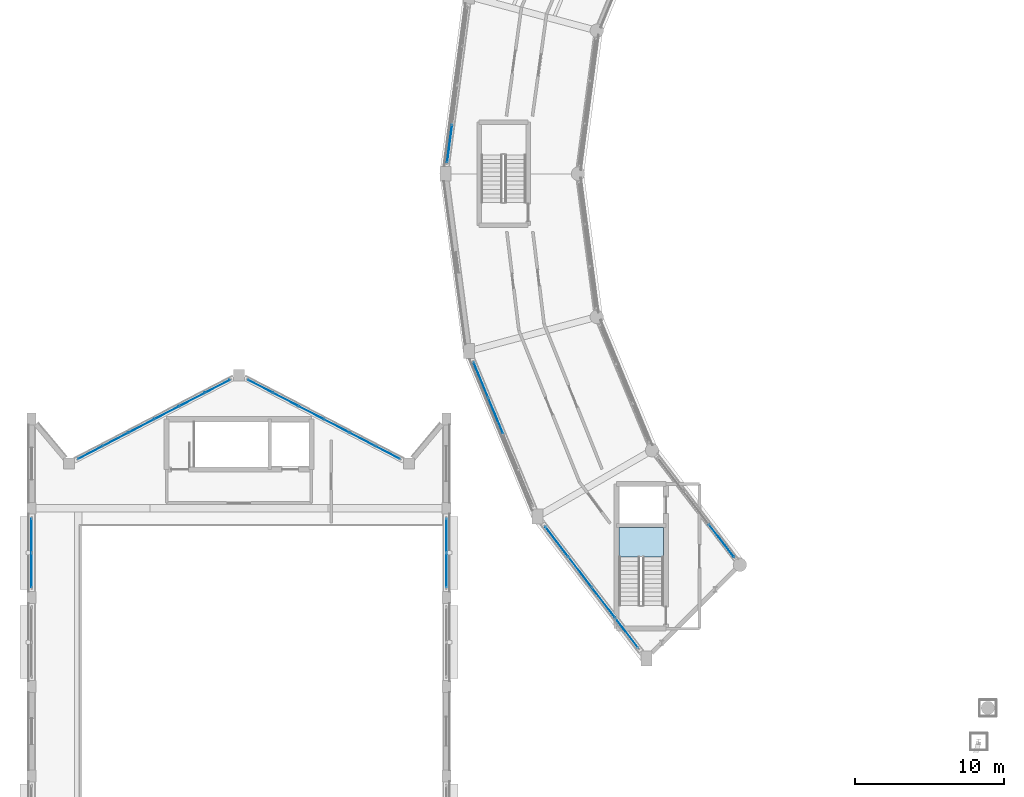
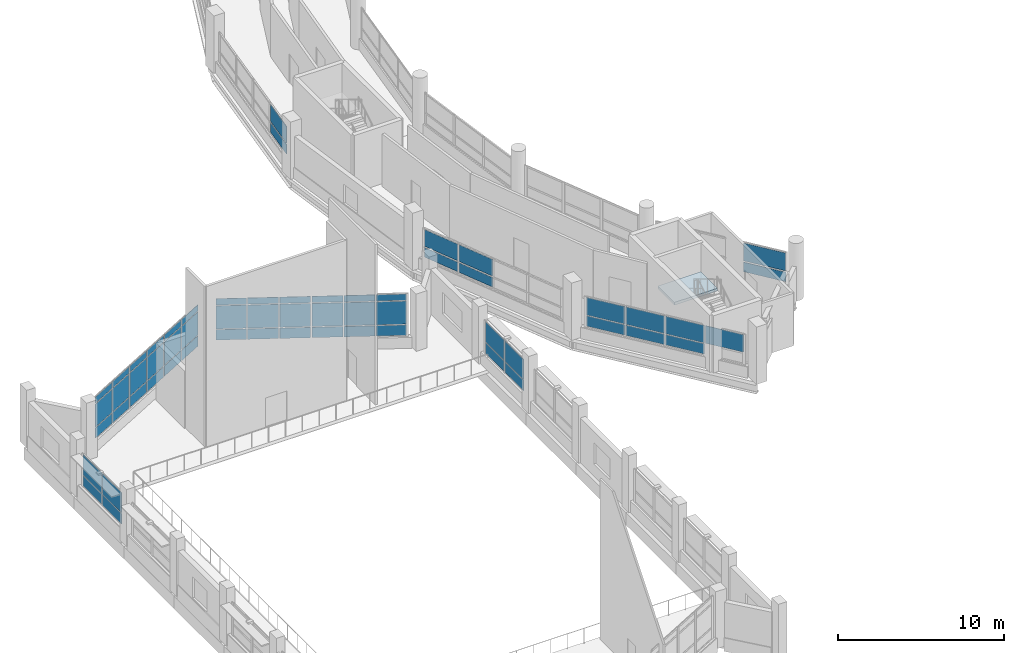
# One storey, part 101 of 128: 59 plates, 1 slab, 9 elements without a shape of their own.
"""IFC4 building model written with IfcOpenShell, lengths in metres."""

from ifc_helpers import new_model, si_unit, direction, frame, origin, origin_2d, place, context, subcontext, project, spatial, polyline, rectangle, outline, extrude, material, layer, layer_set, type_object, element, aggregate, save


model = new_model("IFC4")

# Units and contexts
model_context = context("Model", 3, precision=1e-05, world=origin(), true_north=direction((0.0, 1.0)))
body_context = subcontext(model_context, "Body", "Model", "MODEL_VIEW")
ifc_project = project(units=[si_unit("LENGTHUNIT", "METRE"), si_unit("AREAUNIT", "SQUARE_METRE"), si_unit("VOLUMEUNIT", "CUBIC_METRE"), si_unit("PLANEANGLEUNIT", "RADIAN"), si_unit("MASSUNIT", "GRAM", prefix="KILO")], contexts=[model_context])

# Site, building, storey
site_placement = place(None, origin())
site = spatial("IfcSite", under=ifc_project, at=site_placement, CompositionType="ELEMENT")
building_placement = place(site_placement, origin())
building = spatial("IfcBuilding", under=site, at=building_placement, Name="Vespera Passage Community Centre", CompositionType="ELEMENT")
storey_placement = place(building_placement, frame((0.0, 0.0, 4.5)))
storey = spatial("IfcBuildingStorey", under=building, at=storey_placement, Name="L01", CompositionType="ELEMENT", Elevation=4.5)

# Curtain wall, plates
ifc_material_1 = material(Name="Anodized aluminium 6063-T6", Category="aluminium")
ifc_layer_1 = layer(ifc_material_1, 0.159912109375)
ifc_layer_set_1 = layer_set([ifc_layer_1], Name="Anodized aluminium 6063-T6")
curtain_wall_type_1 = type_object("IfcCurtainWallType", Name="CW-20E", PredefinedType="NOTDEFINED", material=ifc_layer_set_1)
curtain_wall_1_placement = place(storey_placement, origin())
curtain_wall_1 = element("IfcCurtainWall", 1, at=curtain_wall_1_placement, inside=storey, type_object=curtain_wall_type_1, Name="V4 L01 Outer Ribbon Curtain Wall 13", PredefinedType="NOTDEFINED")
ifc_material_2 = material(Name="Low-E insulated vision glass", Category="glass")
ifc_layer_2 = layer(ifc_material_2, 0.028076171875)
ifc_layer_set_2 = layer_set([ifc_layer_2], Name="Low-E insulated vision glass")
plate_type_1 = type_object("IfcPlateType", Name="PL-CWP-28E", PredefinedType="CURTAIN_PANEL", material=ifc_layer_set_2)
plate_1_placement = place(storey_placement, frame((35.270263671875, 49.224365234375, 0.919921875), z_axis=(0.0, 0.0, 1.0), x_axis=(-0.382679142535, 0.923881309405, 0.0)))
plate_1 = element("IfcPlate", 2, at=plate_1_placement, type_object=plate_type_1, Name="CW-20E panel 3.1", PredefinedType="CURTAIN_PANEL", context=body_context, shape_type="SweptSolid", body=[
    extrude(rectangle(XDim=2.555419921875, YDim=0.028076171875, at=origin_2d()), origin(), (0.0, 0.0, 1.0), 0.699951171875),
])
plate_2_placement = place(storey_placement, frame((35.270263671875, 49.224365234375, 1.719970703125), z_axis=(0.0, 0.0, 1.0), x_axis=(-0.382679142535, 0.923881309405, 0.0)))
plate_2 = element("IfcPlate", 3, at=plate_2_placement, type_object=plate_type_1, Name="CW-20E panel 3.2", PredefinedType="CURTAIN_PANEL", context=body_context, shape_type="SweptSolid", body=[
    extrude(rectangle(XDim=2.555419921875, YDim=0.028076171875, at=origin_2d()), origin(), (0.0, 0.0, 1.0), 1.2255859375),
])
plate_3_placement = place(storey_placement, frame((34.270751953125, 51.63720703125, 0.919921875), z_axis=(0.0, 0.0, 1.0), x_axis=(-0.382679142535, 0.923881309405, 0.0)))
plate_3 = element("IfcPlate", 4, at=plate_3_placement, type_object=plate_type_1, Name="CW-20E panel 4.1", PredefinedType="CURTAIN_PANEL", context=body_context, shape_type="SweptSolid", body=[
    extrude(rectangle(XDim=2.51806640625, YDim=0.028076171875, at=origin_2d()), origin(), (0.0, 0.0, 1.0), 0.699951171875),
])
plate_4_placement = place(storey_placement, frame((34.270751953125, 51.63720703125, 1.719970703125), z_axis=(0.0, 0.0, 1.0), x_axis=(-0.382679142535, 0.923881309405, 0.0)))
plate_4 = element("IfcPlate", 5, at=plate_4_placement, type_object=plate_type_1, Name="CW-20E panel 4.2", PredefinedType="CURTAIN_PANEL", context=body_context, shape_type="SweptSolid", body=[
    extrude(rectangle(XDim=2.51806640625, YDim=0.028076171875, at=origin_2d()), origin(), (0.0, 0.0, 1.0), 1.2255859375),
])
aggregate(curtain_wall_1, [plate_1, plate_2, plate_3, plate_4])

ifc_material_3 = material(Name="Anodized aluminium 6063-T6", Category="aluminium")
ifc_layer_3 = layer(ifc_material_3, 0.159912109375)
ifc_layer_set_3 = layer_set([ifc_layer_3], Name="Anodized aluminium 6063-T6")
curtain_wall_type_2 = type_object("IfcCurtainWallType", Name="CW-85E", PredefinedType="NOTDEFINED", material=ifc_layer_set_3)
curtain_wall_2_placement = place(storey_placement, origin())
curtain_wall_2 = element("IfcCurtainWall", 6, at=curtain_wall_2_placement, inside=storey, type_object=curtain_wall_type_2, Name="V1 L01 N Apse Ribbon Curtain Wall 2", PredefinedType="NOTDEFINED")
plate_5_placement = place(storey_placement, frame((8.01318359375, 46.751220703125, 0.85986328125), z_axis=(0.0, 0.0, 1.0), x_axis=(0.887012747062, 0.46174493668, 0.0)))
plate_5 = element("IfcPlate", 7, at=plate_5_placement, type_object=plate_type_1, Name="CW-85E panel 1.1", PredefinedType="CURTAIN_PANEL", context=body_context, shape_type="SweptSolid", body=[
    extrude(rectangle(XDim=1.822021484375, YDim=0.028076171875, at=origin_2d()), origin(), (0.0, 0.0, 1.0), 0.760009765625),
])
plate_6_placement = place(storey_placement, frame((8.01318359375, 46.751220703125, 1.679931640625), z_axis=(0.0, 0.0, 1.0), x_axis=(0.887012747062, 0.46174493668, 0.0)))
plate_6 = element("IfcPlate", 8, at=plate_6_placement, type_object=plate_type_1, Name="CW-85E panel 1.2", PredefinedType="CURTAIN_PANEL", context=body_context, shape_type="SweptSolid", body=[
    extrude(rectangle(XDim=1.822021484375, YDim=0.028076171875, at=origin_2d()), origin(), (0.0, 0.0, 1.0), 1.68994140625),
])
plate_7_placement = place(storey_placement, frame((8.01318359375, 46.751220703125, 3.429931640625), z_axis=(0.0, 0.0, 1.0), x_axis=(0.887012747062, 0.46174493668, 0.0)))
plate_7 = element("IfcPlate", 9, at=plate_7_placement, type_object=plate_type_1, Name="CW-85E panel 1.3", PredefinedType="CURTAIN_PANEL", context=body_context, shape_type="SweptSolid", body=[
    extrude(rectangle(XDim=1.822021484375, YDim=0.028076171875, at=origin_2d()), origin(), (0.0, 0.0, 1.0), 0.4599609375),
])
plate_8_placement = place(storey_placement, frame((9.71240234375, 47.6357421875, 0.85986328125), z_axis=(0.0, 0.0, 1.0), x_axis=(0.887012747062, 0.46174493668, 0.0)))
plate_8 = element("IfcPlate", 10, at=plate_8_placement, type_object=plate_type_1, Name="CW-85E panel 2.1", PredefinedType="CURTAIN_PANEL", context=body_context, shape_type="SweptSolid", body=[
    extrude(rectangle(XDim=1.859619140625, YDim=0.028076171875, at=origin_2d()), origin(), (0.0, 0.0, 1.0), 0.760009765625),
])
plate_9_placement = place(storey_placement, frame((9.71240234375, 47.6357421875, 1.679931640625), z_axis=(0.0, 0.0, 1.0), x_axis=(0.887012747062, 0.46174493668, 0.0)))
plate_9 = element("IfcPlate", 11, at=plate_9_placement, type_object=plate_type_1, Name="CW-85E panel 2.2", PredefinedType="CURTAIN_PANEL", context=body_context, shape_type="SweptSolid", body=[
    extrude(rectangle(XDim=1.859619140625, YDim=0.028076171875, at=origin_2d()), origin(), (0.0, 0.0, 1.0), 1.68994140625),
])
plate_10_placement = place(storey_placement, frame((9.71240234375, 47.6357421875, 3.429931640625), z_axis=(0.0, 0.0, 1.0), x_axis=(0.887012747062, 0.46174493668, 0.0)))
plate_10 = element("IfcPlate", 12, at=plate_10_placement, type_object=plate_type_1, Name="CW-85E panel 2.3", PredefinedType="CURTAIN_PANEL", context=body_context, shape_type="SweptSolid", body=[
    extrude(rectangle(XDim=1.859619140625, YDim=0.028076171875, at=origin_2d()), origin(), (0.0, 0.0, 1.0), 0.4599609375),
])
plate_11_placement = place(storey_placement, frame((11.428466796875, 48.529052734375, 0.85986328125), z_axis=(0.0, 0.0, 1.0), x_axis=(0.887012747062, 0.46174493668, 0.0)))
plate_11 = element("IfcPlate", 13, at=plate_11_placement, type_object=plate_type_1, Name="CW-85E panel 3.1", PredefinedType="CURTAIN_PANEL", context=body_context, shape_type="SweptSolid", body=[
    extrude(rectangle(XDim=1.859619140625, YDim=0.028076171875, at=origin_2d()), origin(), (0.0, 0.0, 1.0), 0.760009765625),
])
plate_12_placement = place(storey_placement, frame((11.428466796875, 48.529052734375, 1.679931640625), z_axis=(0.0, 0.0, 1.0), x_axis=(0.887012747062, 0.46174493668, 0.0)))
plate_12 = element("IfcPlate", 14, at=plate_12_placement, type_object=plate_type_1, Name="CW-85E panel 3.2", PredefinedType="CURTAIN_PANEL", context=body_context, shape_type="SweptSolid", body=[
    extrude(rectangle(XDim=1.859619140625, YDim=0.028076171875, at=origin_2d()), origin(), (0.0, 0.0, 1.0), 1.68994140625),
])
plate_13_placement = place(storey_placement, frame((11.428466796875, 48.529052734375, 3.429931640625), z_axis=(0.0, 0.0, 1.0), x_axis=(0.887012747062, 0.46174493668, 0.0)))
plate_13 = element("IfcPlate", 15, at=plate_13_placement, type_object=plate_type_1, Name="CW-85E panel 3.3", PredefinedType="CURTAIN_PANEL", context=body_context, shape_type="SweptSolid", body=[
    extrude(rectangle(XDim=1.859619140625, YDim=0.028076171875, at=origin_2d()), origin(), (0.0, 0.0, 1.0), 0.4599609375),
])
plate_14_placement = place(storey_placement, frame((13.144287109375, 49.42236328125, 0.85986328125), z_axis=(0.0, 0.0, 1.0), x_axis=(0.887012747062, 0.46174493668, 0.0)))
plate_14 = element("IfcPlate", 16, at=plate_14_placement, type_object=plate_type_1, Name="CW-85E panel 4.1", PredefinedType="CURTAIN_PANEL", context=body_context, shape_type="SweptSolid", body=[
    extrude(rectangle(XDim=1.859619140625, YDim=0.028076171875, at=origin_2d()), origin(), (0.0, 0.0, 1.0), 0.760009765625),
])
plate_15_placement = place(storey_placement, frame((13.144287109375, 49.42236328125, 1.679931640625), z_axis=(0.0, 0.0, 1.0), x_axis=(0.887012747062, 0.46174493668, 0.0)))
plate_15 = element("IfcPlate", 17, at=plate_15_placement, type_object=plate_type_1, Name="CW-85E panel 4.2", PredefinedType="CURTAIN_PANEL", context=body_context, shape_type="SweptSolid", body=[
    extrude(rectangle(XDim=1.859619140625, YDim=0.028076171875, at=origin_2d()), origin(), (0.0, 0.0, 1.0), 1.68994140625),
])
plate_16_placement = place(storey_placement, frame((13.144287109375, 49.42236328125, 3.429931640625), z_axis=(0.0, 0.0, 1.0), x_axis=(0.887012747062, 0.46174493668, 0.0)))
plate_16 = element("IfcPlate", 18, at=plate_16_placement, type_object=plate_type_1, Name="CW-85E panel 4.3", PredefinedType="CURTAIN_PANEL", context=body_context, shape_type="SweptSolid", body=[
    extrude(rectangle(XDim=1.859619140625, YDim=0.028076171875, at=origin_2d()), origin(), (0.0, 0.0, 1.0), 0.4599609375),
])
plate_17_placement = place(storey_placement, frame((14.8603515625, 50.315673828125, 0.85986328125), z_axis=(0.0, 0.0, 1.0), x_axis=(0.887012747062, 0.46174493668, 0.0)))
plate_17 = element("IfcPlate", 19, at=plate_17_placement, type_object=plate_type_1, Name="CW-85E panel 5.1", PredefinedType="CURTAIN_PANEL", context=body_context, shape_type="SweptSolid", body=[
    extrude(rectangle(XDim=1.859619140625, YDim=0.028076171875, at=origin_2d()), origin(), (0.0, 0.0, 1.0), 0.760009765625),
])
plate_18_placement = place(storey_placement, frame((14.8603515625, 50.315673828125, 1.679931640625), z_axis=(0.0, 0.0, 1.0), x_axis=(0.887012747062, 0.46174493668, 0.0)))
plate_18 = element("IfcPlate", 20, at=plate_18_placement, type_object=plate_type_1, Name="CW-85E panel 5.2", PredefinedType="CURTAIN_PANEL", context=body_context, shape_type="SweptSolid", body=[
    extrude(rectangle(XDim=1.859619140625, YDim=0.028076171875, at=origin_2d()), origin(), (0.0, 0.0, 1.0), 1.68994140625),
])
plate_19_placement = place(storey_placement, frame((14.8603515625, 50.315673828125, 3.429931640625), z_axis=(0.0, 0.0, 1.0), x_axis=(0.887012747062, 0.46174493668, 0.0)))
plate_19 = element("IfcPlate", 21, at=plate_19_placement, type_object=plate_type_1, Name="CW-85E panel 5.3", PredefinedType="CURTAIN_PANEL", context=body_context, shape_type="SweptSolid", body=[
    extrude(rectangle(XDim=1.859619140625, YDim=0.028076171875, at=origin_2d()), origin(), (0.0, 0.0, 1.0), 0.4599609375),
])
plate_20_placement = place(storey_placement, frame((16.5595703125, 51.2001953125, 0.85986328125), z_axis=(0.0, 0.0, 1.0), x_axis=(0.887012747062, 0.46174493668, 0.0)))
plate_20 = element("IfcPlate", 22, at=plate_20_placement, type_object=plate_type_1, Name="CW-85E panel 6.1", PredefinedType="CURTAIN_PANEL", context=body_context, shape_type="SweptSolid", body=[
    extrude(rectangle(XDim=1.822021484375, YDim=0.028076171875, at=origin_2d()), origin(), (0.0, 0.0, 1.0), 0.760009765625),
])
plate_21_placement = place(storey_placement, frame((16.5595703125, 51.2001953125, 1.679931640625), z_axis=(0.0, 0.0, 1.0), x_axis=(0.887012747062, 0.46174493668, 0.0)))
plate_21 = element("IfcPlate", 23, at=plate_21_placement, type_object=plate_type_1, Name="CW-85E panel 6.2", PredefinedType="CURTAIN_PANEL", context=body_context, shape_type="SweptSolid", body=[
    extrude(rectangle(XDim=1.822021484375, YDim=0.028076171875, at=origin_2d()), origin(), (0.0, 0.0, 1.0), 1.68994140625),
])
plate_22_placement = place(storey_placement, frame((16.5595703125, 51.2001953125, 3.429931640625), z_axis=(0.0, 0.0, 1.0), x_axis=(0.887012747062, 0.46174493668, 0.0)))
plate_22 = element("IfcPlate", 24, at=plate_22_placement, type_object=plate_type_1, Name="CW-85E panel 6.3", PredefinedType="CURTAIN_PANEL", context=body_context, shape_type="SweptSolid", body=[
    extrude(rectangle(XDim=1.822021484375, YDim=0.028076171875, at=origin_2d()), origin(), (0.0, 0.0, 1.0), 0.4599609375),
])
aggregate(curtain_wall_2, [plate_5, plate_6, plate_7, plate_8, plate_9, plate_10, plate_11, plate_12, plate_13, plate_14, plate_15, plate_16, plate_17, plate_18, plate_19, plate_20, plate_21, plate_22])

curtain_wall_3_placement = place(storey_placement, origin())
curtain_wall_3 = element("IfcCurtainWall", 25, at=curtain_wall_3_placement, inside=storey, type_object=curtain_wall_type_2, Name="V1 L01 N Apse Ribbon Curtain Wall 3", PredefinedType="NOTDEFINED")
plate_23_placement = place(storey_placement, frame((19.4404296875, 51.2001953125, 0.85986328125), z_axis=(0.0, 0.0, 1.0), x_axis=(0.887012747062, -0.46174493668, 0.0)))
plate_23 = element("IfcPlate", 26, at=plate_23_placement, type_object=plate_type_1, Name="CW-85E panel 1.1", PredefinedType="CURTAIN_PANEL", context=body_context, shape_type="SweptSolid", body=[
    extrude(rectangle(XDim=1.822021484375, YDim=0.028076171875, at=origin_2d()), origin(), (0.0, 0.0, 1.0), 0.760009765625),
])
plate_24_placement = place(storey_placement, frame((19.4404296875, 51.2001953125, 1.679931640625), z_axis=(0.0, 0.0, 1.0), x_axis=(0.887012747062, -0.46174493668, 0.0)))
plate_24 = element("IfcPlate", 27, at=plate_24_placement, type_object=plate_type_1, Name="CW-85E panel 1.2", PredefinedType="CURTAIN_PANEL", context=body_context, shape_type="SweptSolid", body=[
    extrude(rectangle(XDim=1.822021484375, YDim=0.028076171875, at=origin_2d()), origin(), (0.0, 0.0, 1.0), 1.68994140625),
])
plate_25_placement = place(storey_placement, frame((19.4404296875, 51.2001953125, 3.429931640625), z_axis=(0.0, 0.0, 1.0), x_axis=(0.887012747062, -0.46174493668, 0.0)))
plate_25 = element("IfcPlate", 28, at=plate_25_placement, type_object=plate_type_1, Name="CW-85E panel 1.3", PredefinedType="CURTAIN_PANEL", context=body_context, shape_type="SweptSolid", body=[
    extrude(rectangle(XDim=1.822021484375, YDim=0.028076171875, at=origin_2d()), origin(), (0.0, 0.0, 1.0), 0.4599609375),
])
plate_26_placement = place(storey_placement, frame((21.1396484375, 50.315673828125, 0.85986328125), z_axis=(0.0, 0.0, 1.0), x_axis=(0.887012747062, -0.46174493668, 0.0)))
plate_26 = element("IfcPlate", 29, at=plate_26_placement, type_object=plate_type_1, Name="CW-85E panel 2.1", PredefinedType="CURTAIN_PANEL", context=body_context, shape_type="SweptSolid", body=[
    extrude(rectangle(XDim=1.859619140625, YDim=0.028076171875, at=origin_2d()), origin(), (0.0, 0.0, 1.0), 0.760009765625),
])
plate_27_placement = place(storey_placement, frame((21.1396484375, 50.315673828125, 1.679931640625), z_axis=(0.0, 0.0, 1.0), x_axis=(0.887012747062, -0.46174493668, 0.0)))
plate_27 = element("IfcPlate", 30, at=plate_27_placement, type_object=plate_type_1, Name="CW-85E panel 2.2", PredefinedType="CURTAIN_PANEL", context=body_context, shape_type="SweptSolid", body=[
    extrude(rectangle(XDim=1.859619140625, YDim=0.028076171875, at=origin_2d()), origin(), (0.0, 0.0, 1.0), 1.68994140625),
])
plate_28_placement = place(storey_placement, frame((21.1396484375, 50.315673828125, 3.429931640625), z_axis=(0.0, 0.0, 1.0), x_axis=(0.887012747062, -0.46174493668, 0.0)))
plate_28 = element("IfcPlate", 31, at=plate_28_placement, type_object=plate_type_1, Name="CW-85E panel 2.3", PredefinedType="CURTAIN_PANEL", context=body_context, shape_type="SweptSolid", body=[
    extrude(rectangle(XDim=1.859619140625, YDim=0.028076171875, at=origin_2d()), origin(), (0.0, 0.0, 1.0), 0.4599609375),
])
plate_29_placement = place(storey_placement, frame((22.855712890625, 49.42236328125, 0.85986328125), z_axis=(0.0, 0.0, 1.0), x_axis=(0.887012747062, -0.46174493668, 0.0)))
plate_29 = element("IfcPlate", 32, at=plate_29_placement, type_object=plate_type_1, Name="CW-85E panel 3.1", PredefinedType="CURTAIN_PANEL", context=body_context, shape_type="SweptSolid", body=[
    extrude(rectangle(XDim=1.859619140625, YDim=0.028076171875, at=origin_2d()), origin(), (0.0, 0.0, 1.0), 0.760009765625),
])
plate_30_placement = place(storey_placement, frame((22.855712890625, 49.42236328125, 1.679931640625), z_axis=(0.0, 0.0, 1.0), x_axis=(0.887012747062, -0.46174493668, 0.0)))
plate_30 = element("IfcPlate", 33, at=plate_30_placement, type_object=plate_type_1, Name="CW-85E panel 3.2", PredefinedType="CURTAIN_PANEL", context=body_context, shape_type="SweptSolid", body=[
    extrude(rectangle(XDim=1.859619140625, YDim=0.028076171875, at=origin_2d()), origin(), (0.0, 0.0, 1.0), 1.68994140625),
])
plate_31_placement = place(storey_placement, frame((22.855712890625, 49.42236328125, 3.429931640625), z_axis=(0.0, 0.0, 1.0), x_axis=(0.887012747062, -0.46174493668, 0.0)))
plate_31 = element("IfcPlate", 34, at=plate_31_placement, type_object=plate_type_1, Name="CW-85E panel 3.3", PredefinedType="CURTAIN_PANEL", context=body_context, shape_type="SweptSolid", body=[
    extrude(rectangle(XDim=1.859619140625, YDim=0.028076171875, at=origin_2d()), origin(), (0.0, 0.0, 1.0), 0.4599609375),
])
plate_32_placement = place(storey_placement, frame((24.571533203125, 48.529052734375, 0.85986328125), z_axis=(0.0, 0.0, 1.0), x_axis=(0.887012747062, -0.46174493668, 0.0)))
plate_32 = element("IfcPlate", 35, at=plate_32_placement, type_object=plate_type_1, Name="CW-85E panel 4.1", PredefinedType="CURTAIN_PANEL", context=body_context, shape_type="SweptSolid", body=[
    extrude(rectangle(XDim=1.859619140625, YDim=0.028076171875, at=origin_2d()), origin(), (0.0, 0.0, 1.0), 0.760009765625),
])
plate_33_placement = place(storey_placement, frame((24.571533203125, 48.529052734375, 1.679931640625), z_axis=(0.0, 0.0, 1.0), x_axis=(0.887012747062, -0.46174493668, 0.0)))
plate_33 = element("IfcPlate", 36, at=plate_33_placement, type_object=plate_type_1, Name="CW-85E panel 4.2", PredefinedType="CURTAIN_PANEL", context=body_context, shape_type="SweptSolid", body=[
    extrude(rectangle(XDim=1.859619140625, YDim=0.028076171875, at=origin_2d()), origin(), (0.0, 0.0, 1.0), 1.68994140625),
])
plate_34_placement = place(storey_placement, frame((24.571533203125, 48.529052734375, 3.429931640625), z_axis=(0.0, 0.0, 1.0), x_axis=(0.887012747062, -0.46174493668, 0.0)))
plate_34 = element("IfcPlate", 37, at=plate_34_placement, type_object=plate_type_1, Name="CW-85E panel 4.3", PredefinedType="CURTAIN_PANEL", context=body_context, shape_type="SweptSolid", body=[
    extrude(rectangle(XDim=1.859619140625, YDim=0.028076171875, at=origin_2d()), origin(), (0.0, 0.0, 1.0), 0.4599609375),
])
plate_35_placement = place(storey_placement, frame((26.28759765625, 47.6357421875, 0.85986328125), z_axis=(0.0, 0.0, 1.0), x_axis=(0.887012747062, -0.46174493668, 0.0)))
plate_35 = element("IfcPlate", 38, at=plate_35_placement, type_object=plate_type_1, Name="CW-85E panel 5.1", PredefinedType="CURTAIN_PANEL", context=body_context, shape_type="SweptSolid", body=[
    extrude(rectangle(XDim=1.859619140625, YDim=0.028076171875, at=origin_2d()), origin(), (0.0, 0.0, 1.0), 0.760009765625),
])
plate_36_placement = place(storey_placement, frame((26.28759765625, 47.6357421875, 1.679931640625), z_axis=(0.0, 0.0, 1.0), x_axis=(0.887012747062, -0.46174493668, 0.0)))
plate_36 = element("IfcPlate", 39, at=plate_36_placement, type_object=plate_type_1, Name="CW-85E panel 5.2", PredefinedType="CURTAIN_PANEL", context=body_context, shape_type="SweptSolid", body=[
    extrude(rectangle(XDim=1.859619140625, YDim=0.028076171875, at=origin_2d()), origin(), (0.0, 0.0, 1.0), 1.68994140625),
])
plate_37_placement = place(storey_placement, frame((26.28759765625, 47.6357421875, 3.429931640625), z_axis=(0.0, 0.0, 1.0), x_axis=(0.887012747062, -0.46174493668, 0.0)))
plate_37 = element("IfcPlate", 40, at=plate_37_placement, type_object=plate_type_1, Name="CW-85E panel 5.3", PredefinedType="CURTAIN_PANEL", context=body_context, shape_type="SweptSolid", body=[
    extrude(rectangle(XDim=1.859619140625, YDim=0.028076171875, at=origin_2d()), origin(), (0.0, 0.0, 1.0), 0.4599609375),
])
plate_38_placement = place(storey_placement, frame((27.98681640625, 46.751220703125, 0.85986328125), z_axis=(0.0, 0.0, 1.0), x_axis=(0.887012747062, -0.46174493668, 0.0)))
plate_38 = element("IfcPlate", 41, at=plate_38_placement, type_object=plate_type_1, Name="CW-85E panel 6.1", PredefinedType="CURTAIN_PANEL", context=body_context, shape_type="SweptSolid", body=[
    extrude(rectangle(XDim=1.822021484375, YDim=0.028076171875, at=origin_2d()), origin(), (0.0, 0.0, 1.0), 0.760009765625),
])
plate_39_placement = place(storey_placement, frame((27.98681640625, 46.751220703125, 1.679931640625), z_axis=(0.0, 0.0, 1.0), x_axis=(0.887012747062, -0.46174493668, 0.0)))
plate_39 = element("IfcPlate", 42, at=plate_39_placement, type_object=plate_type_1, Name="CW-85E panel 6.2", PredefinedType="CURTAIN_PANEL", context=body_context, shape_type="SweptSolid", body=[
    extrude(rectangle(XDim=1.822021484375, YDim=0.028076171875, at=origin_2d()), origin(), (0.0, 0.0, 1.0), 1.68994140625),
])
plate_40_placement = place(storey_placement, frame((27.98681640625, 46.751220703125, 3.429931640625), z_axis=(0.0, 0.0, 1.0), x_axis=(0.887012747062, -0.46174493668, 0.0)))
plate_40 = element("IfcPlate", 43, at=plate_40_placement, type_object=plate_type_1, Name="CW-85E panel 6.3", PredefinedType="CURTAIN_PANEL", context=body_context, shape_type="SweptSolid", body=[
    extrude(rectangle(XDim=1.822021484375, YDim=0.028076171875, at=origin_2d()), origin(), (0.0, 0.0, 1.0), 0.4599609375),
])
aggregate(curtain_wall_3, [plate_23, plate_24, plate_25, plate_26, plate_27, plate_28, plate_29, plate_30, plate_31, plate_32, plate_33, plate_34, plate_35, plate_36, plate_37, plate_38, plate_39, plate_40])

ifc_material_4 = material(Name="Anodized aluminium 6063-T6", Category="aluminium")
ifc_layer_4 = layer(ifc_material_4, 0.159912109375)
ifc_layer_set_4 = layer_set([ifc_layer_4], Name="Anodized aluminium 6063-T6")
curtain_wall_type_3 = type_object("IfcCurtainWallType", Name="CW-21E", PredefinedType="NOTDEFINED", material=ifc_layer_set_4)
curtain_wall_4_placement = place(storey_placement, origin())
curtain_wall_4 = element("IfcCurtainWall", 44, at=curtain_wall_4_placement, inside=storey, type_object=curtain_wall_type_3, Name="V4 L01 Outer Ribbon Curtain Wall 11", PredefinedType="NOTDEFINED")
ifc_material_5 = material(Name="Acoustic triple-glazed vision glass", Category="glass")
ifc_layer_5 = layer(ifc_material_5, 0.035888671875)
ifc_layer_set_5 = layer_set([ifc_layer_5], Name="Acoustic triple-glazed vision glass")
plate_type_2 = type_object("IfcPlateType", Name="PL-CWP-36E", PredefinedType="CURTAIN_PANEL", material=ifc_layer_set_5)
plate_41_placement = place(storey_placement, frame((32.169189453125, 67.544921875, 0.919921875), z_axis=(0.0, 0.0, 1.0), x_axis=(0.130522869458, 0.991445298818, 0.0)))
plate_41 = element("IfcPlate", 45, at=plate_41_placement, type_object=plate_type_2, Name="CW-21E panel 1.1", PredefinedType="CURTAIN_PANEL", context=body_context, shape_type="SweptSolid", body=[
    extrude(rectangle(XDim=2.536376953125, YDim=0.035888671875, at=origin_2d()), origin(), (0.0, 0.0, 1.0), 0.699951171875),
])
plate_42_placement = place(storey_placement, frame((32.169189453125, 67.544921875, 1.719970703125), z_axis=(0.0, 0.0, 1.0), x_axis=(0.130522869458, 0.991445298818, 0.0)))
plate_42 = element("IfcPlate", 46, at=plate_42_placement, type_object=plate_type_2, Name="CW-21E panel 1.2", PredefinedType="CURTAIN_PANEL", context=body_context, shape_type="SweptSolid", body=[
    extrude(rectangle(XDim=2.536376953125, YDim=0.035888671875, at=origin_2d()), origin(), (0.0, 0.0, 1.0), 1.2255859375),
])
aggregate(curtain_wall_4, [plate_41, plate_42])

ifc_material_6 = material(Name="Anodized aluminium 6063-T6", Category="aluminium")
ifc_layer_6 = layer(ifc_material_6, 0.159912109375)
ifc_layer_set_6 = layer_set([ifc_layer_6], Name="Anodized aluminium 6063-T6")
curtain_wall_type_4 = type_object("IfcCurtainWallType", Name="CW-23E", PredefinedType="NOTDEFINED", material=ifc_layer_set_6)
curtain_wall_5_placement = place(storey_placement, origin())
curtain_wall_5 = element("IfcCurtainWall", 47, at=curtain_wall_5_placement, inside=storey, type_object=curtain_wall_type_4, Name="V4 L01 Outer Ribbon Curtain Wall 14", PredefinedType="NOTDEFINED")
plate_43_placement = place(storey_placement, frame((44.095703125, 34.605224609375, 1.699951171875), z_axis=(0.0, 0.0, 1.0), x_axis=(-0.608765447029, 0.793350257139, 0.0)))
plate_43 = element("IfcPlate", 48, at=plate_43_placement, type_object=plate_type_2, Name="CW-23E panel 1.2", PredefinedType="CURTAIN_PANEL", context=body_context, shape_type="SweptSolid", body=[
    extrude(rectangle(XDim=2.480712890625, YDim=0.035888671875, at=origin_2d()), origin(), (0.0, 0.0, 1.0), 1.28564453125),
])
plate_44_placement = place(storey_placement, frame((42.528564453125, 36.6474609375, 0.8798828125), z_axis=(0.0, 0.0, 1.0), x_axis=(-0.608765447029, 0.793350257139, 0.0)))
plate_44 = element("IfcPlate", 49, at=plate_44_placement, type_object=plate_type_2, Name="CW-23E panel 2.1", PredefinedType="CURTAIN_PANEL", context=body_context, shape_type="SweptSolid", body=[
    extrude(rectangle(XDim=2.51806640625, YDim=0.035888671875, at=origin_2d()), origin(), (0.0, 0.0, 1.0), 0.760009765625),
])
plate_45_placement = place(storey_placement, frame((42.528564453125, 36.6474609375, 1.699951171875), z_axis=(0.0, 0.0, 1.0), x_axis=(-0.608765447029, 0.793350257139, 0.0)))
plate_45 = element("IfcPlate", 50, at=plate_45_placement, type_object=plate_type_2, Name="CW-23E panel 2.2", PredefinedType="CURTAIN_PANEL", context=body_context, shape_type="SweptSolid", body=[
    extrude(rectangle(XDim=2.51806640625, YDim=0.035888671875, at=origin_2d()), origin(), (0.0, 0.0, 1.0), 1.28564453125),
])
plate_46_placement = place(storey_placement, frame((40.949951171875, 38.704833984375, 0.8798828125), z_axis=(0.0, 0.0, 1.0), x_axis=(-0.608765447029, 0.793350257139, 0.0)))
plate_46 = element("IfcPlate", 51, at=plate_46_placement, type_object=plate_type_2, Name="CW-23E panel 3.1", PredefinedType="CURTAIN_PANEL", context=body_context, shape_type="SweptSolid", body=[
    extrude(rectangle(XDim=2.51806640625, YDim=0.035888671875, at=origin_2d()), origin(), (0.0, 0.0, 1.0), 0.760009765625),
])
plate_47_placement = place(storey_placement, frame((40.949951171875, 38.704833984375, 1.699951171875), z_axis=(0.0, 0.0, 1.0), x_axis=(-0.608765447029, 0.793350257139, 0.0)))
plate_47 = element("IfcPlate", 52, at=plate_47_placement, type_object=plate_type_2, Name="CW-23E panel 3.2", PredefinedType="CURTAIN_PANEL", context=body_context, shape_type="SweptSolid", body=[
    extrude(rectangle(XDim=2.51806640625, YDim=0.035888671875, at=origin_2d()), origin(), (0.0, 0.0, 1.0), 1.28564453125),
])
plate_48_placement = place(storey_placement, frame((39.3828125, 40.747314453125, 0.8798828125), z_axis=(0.0, 0.0, 1.0), x_axis=(-0.608765447029, 0.793350257139, 0.0)))
plate_48 = element("IfcPlate", 53, at=plate_48_placement, type_object=plate_type_2, Name="CW-23E panel 4.1", PredefinedType="CURTAIN_PANEL", context=body_context, shape_type="SweptSolid", body=[
    extrude(rectangle(XDim=2.480712890625, YDim=0.035888671875, at=origin_2d()), origin(), (0.0, 0.0, 1.0), 0.760009765625),
])
plate_49_placement = place(storey_placement, frame((39.3828125, 40.747314453125, 1.699951171875), z_axis=(0.0, 0.0, 1.0), x_axis=(-0.608765447029, 0.793350257139, 0.0)))
plate_49 = element("IfcPlate", 54, at=plate_49_placement, type_object=plate_type_2, Name="CW-23E panel 4.2", PredefinedType="CURTAIN_PANEL", context=body_context, shape_type="SweptSolid", body=[
    extrude(rectangle(XDim=2.480712890625, YDim=0.035888671875, at=origin_2d()), origin(), (0.0, 0.0, 1.0), 1.28564453125),
])
aggregate(curtain_wall_5, [plate_43, plate_44, plate_45, plate_46, plate_47, plate_48, plate_49])

ifc_material_7 = material(Name="Anodized aluminium 6063-T6", Category="aluminium")
ifc_layer_7 = layer(ifc_material_7, 0.159912109375)
ifc_layer_set_7 = layer_set([ifc_layer_7], Name="Anodized aluminium 6063-T6")
curtain_wall_type_5 = type_object("IfcCurtainWallType", Name="CW-17E", PredefinedType="NOTDEFINED", material=ifc_layer_set_7)
curtain_wall_6_placement = place(storey_placement, origin())
curtain_wall_6 = element("IfcCurtainWall", 55, at=curtain_wall_6_placement, inside=storey, type_object=curtain_wall_type_5, Name="V4 L01 Inner Court Curtain Wall 14", PredefinedType="NOTDEFINED")
plate_50_placement = place(storey_placement, frame((50.459716796875, 40.806396484375, 0.919921875), z_axis=(0.0, 0.0, 1.0), x_axis=(0.608755087843, -0.793358205999, 0.0)))
plate_50 = element("IfcPlate", 56, at=plate_50_placement, type_object=plate_type_2, Name="CW-17E panel 3.1", PredefinedType="CURTAIN_PANEL", context=body_context, shape_type="SweptSolid", body=[
    extrude(rectangle(XDim=2.744140625, YDim=0.035888671875, at=origin_2d()), origin(), (0.0, 0.0, 1.0), 0.699951171875),
])
plate_51_placement = place(storey_placement, frame((50.459716796875, 40.806396484375, 1.719970703125), z_axis=(0.0, 0.0, 1.0), x_axis=(0.608755087843, -0.793358205999, 0.0)))
plate_51 = element("IfcPlate", 57, at=plate_51_placement, type_object=plate_type_2, Name="CW-17E panel 3.2", PredefinedType="CURTAIN_PANEL", context=body_context, shape_type="SweptSolid", body=[
    extrude(rectangle(XDim=2.744140625, YDim=0.035888671875, at=origin_2d()), origin(), (0.0, 0.0, 1.0), 1.3095703125),
])
aggregate(curtain_wall_6, [plate_50, plate_51])

ifc_material_8 = material(Name="Anodized aluminium 6063-T6", Category="aluminium")
ifc_layer_8 = layer(ifc_material_8, 0.159912109375)
ifc_layer_set_8 = layer_set([ifc_layer_8], Name="Anodized aluminium 6063-T6")
curtain_wall_type_6 = type_object("IfcCurtainWallType", Name="CW-84E", PredefinedType="NOTDEFINED", material=ifc_layer_set_8)
curtain_wall_7_placement = place(storey_placement, origin())
curtain_wall_7 = element("IfcCurtainWall", 58, at=curtain_wall_7_placement, inside=storey, type_object=curtain_wall_type_6, Name="Main Hall Acoustic Curtain Wall L01 W6", PredefinedType="NOTDEFINED")
plate_52_placement = place(storey_placement, frame((4.050048828125, 38.831298828125, 0.91015625), z_axis=(0.0, 0.0, 1.0), x_axis=(0.0, 1.0, 0.0)))
plate_52 = element("IfcPlate", 59, at=plate_52_placement, type_object=plate_type_2, Name="CW-84E panel 1.1", PredefinedType="CURTAIN_PANEL", context=body_context, shape_type="SweptSolid", body=[
    extrude(rectangle(XDim=2.262451171875, YDim=0.035888671875, at=origin_2d()), origin(), (0.0, 0.0, 1.0), 0.760009765625),
])
plate_53_placement = place(storey_placement, frame((4.050048828125, 38.831298828125, 1.72998046875), z_axis=(0.0, 0.0, 1.0), x_axis=(0.0, 1.0, 0.0)))
plate_53 = element("IfcPlate", 60, at=plate_53_placement, type_object=plate_type_2, Name="CW-84E panel 1.2", PredefinedType="CURTAIN_PANEL", context=body_context, shape_type="SweptSolid", body=[
    extrude(rectangle(XDim=2.262451171875, YDim=0.035888671875, at=origin_2d()), origin(), (0.0, 0.0, 1.0), 1.47509765625),
])
plate_54_placement = place(storey_placement, frame((4.050048828125, 41.168701171875, 0.91015625), z_axis=(0.0, 0.0, 1.0), x_axis=(0.0, 1.0, 0.0)))
plate_54 = element("IfcPlate", 61, at=plate_54_placement, type_object=plate_type_2, Name="CW-84E panel 2.1", PredefinedType="CURTAIN_PANEL", context=body_context, shape_type="SweptSolid", body=[
    extrude(rectangle(XDim=2.262451171875, YDim=0.035888671875, at=origin_2d()), origin(), (0.0, 0.0, 1.0), 0.760009765625),
])
plate_55_placement = place(storey_placement, frame((4.050048828125, 41.168701171875, 1.72998046875), z_axis=(0.0, 0.0, 1.0), x_axis=(0.0, 1.0, 0.0)))
plate_55 = element("IfcPlate", 62, at=plate_55_placement, type_object=plate_type_2, Name="CW-84E panel 2.2", PredefinedType="CURTAIN_PANEL", context=body_context, shape_type="SweptSolid", body=[
    extrude(rectangle(XDim=2.262451171875, YDim=0.035888671875, at=origin_2d()), origin(), (0.0, 0.0, 1.0), 1.47509765625),
])
aggregate(curtain_wall_7, [plate_52, plate_53, plate_54, plate_55])

curtain_wall_8_placement = place(storey_placement, origin())
curtain_wall_8 = element("IfcCurtainWall", 63, at=curtain_wall_8_placement, inside=storey, type_object=curtain_wall_type_6, Name="Main Hall Acoustic Curtain Wall L01 E6", PredefinedType="NOTDEFINED")
plate_56_placement = place(storey_placement, frame((31.949951171875, 41.168701171875, 0.91015625), z_axis=(0.0, 0.0, 1.0), x_axis=(0.0, -1.0, 0.0)))
plate_56 = element("IfcPlate", 64, at=plate_56_placement, type_object=plate_type_2, Name="CW-84E panel 1.1", PredefinedType="CURTAIN_PANEL", context=body_context, shape_type="SweptSolid", body=[
    extrude(rectangle(XDim=2.262451171875, YDim=0.035888671875, at=origin_2d()), origin(), (0.0, 0.0, 1.0), 0.760009765625),
])
plate_57_placement = place(storey_placement, frame((31.949951171875, 41.168701171875, 1.72998046875), z_axis=(0.0, 0.0, 1.0), x_axis=(0.0, -1.0, 0.0)))
plate_57 = element("IfcPlate", 65, at=plate_57_placement, type_object=plate_type_2, Name="CW-84E panel 1.2", PredefinedType="CURTAIN_PANEL", context=body_context, shape_type="SweptSolid", body=[
    extrude(rectangle(XDim=2.262451171875, YDim=0.035888671875, at=origin_2d()), origin(), (0.0, 0.0, 1.0), 1.47509765625),
])
plate_58_placement = place(storey_placement, frame((31.949951171875, 38.831298828125, 0.91015625), z_axis=(0.0, 0.0, 1.0), x_axis=(0.0, -1.0, 0.0)))
plate_58 = element("IfcPlate", 66, at=plate_58_placement, type_object=plate_type_2, Name="CW-84E panel 2.1", PredefinedType="CURTAIN_PANEL", context=body_context, shape_type="SweptSolid", body=[
    extrude(rectangle(XDim=2.262451171875, YDim=0.035888671875, at=origin_2d()), origin(), (0.0, 0.0, 1.0), 0.760009765625),
])
plate_59_placement = place(storey_placement, frame((31.949951171875, 38.831298828125, 1.72998046875), z_axis=(0.0, 0.0, 1.0), x_axis=(0.0, -1.0, 0.0)))
plate_59 = element("IfcPlate", 67, at=plate_59_placement, type_object=plate_type_2, Name="CW-84E panel 2.2", PredefinedType="CURTAIN_PANEL", context=body_context, shape_type="SweptSolid", body=[
    extrude(rectangle(XDim=2.262451171875, YDim=0.035888671875, at=origin_2d()), origin(), (0.0, 0.0, 1.0), 1.47509765625),
])
aggregate(curtain_wall_8, [plate_56, plate_57, plate_58, plate_59])

# Stair, slab
ifc_material_9 = material(Name="Concrete f'c 35 MPa", Category="concrete")
stair_type = type_object("IfcStairType", Name="ST-T07", PredefinedType="HALF_TURN_STAIR", material=ifc_material_9)
stair_placement = place(storey_placement, origin())
stair = element("IfcStair", 68, at=stair_placement, inside=storey, type_object=stair_type, Name="L01 Core C3 Exit Stair ST05", PredefinedType="HALF_TURN_STAIR")
ifc_material_10 = material(Name="Concrete f'c 35 MPa", Category="concrete")
ifc_layer_9 = layer(ifc_material_10, 0.199951171875)
ifc_layer_set_9 = layer_set([ifc_layer_9], Name="Concrete f'c 35 MPa")
slab_type = type_object("IfcSlabType", Name="SL-LAND-200I", PredefinedType="LANDING", material=ifc_layer_set_9)
slab_placement = place(storey_placement, frame((0.0, 0.0, 1.89990234375)))
slab = element("IfcSlab", 69, at=slab_placement, type_object=slab_type, Name="ST05 landing 1", PredefinedType="LANDING", context=body_context, shape_type="SweptSolid", body=[
    extrude(outline(polyline([(46.56103515625, 39.715087890625), (46.56103515625, 41.719970703125), (43.56103515625, 41.719970703125), (43.56103515625, 39.715087890625), (46.56103515625, 39.715087890625)])), origin(), (0.0, 0.0, 1.0), 0.2001953125),
])
aggregate(stair, [slab])

save(model, "model.ifc")
